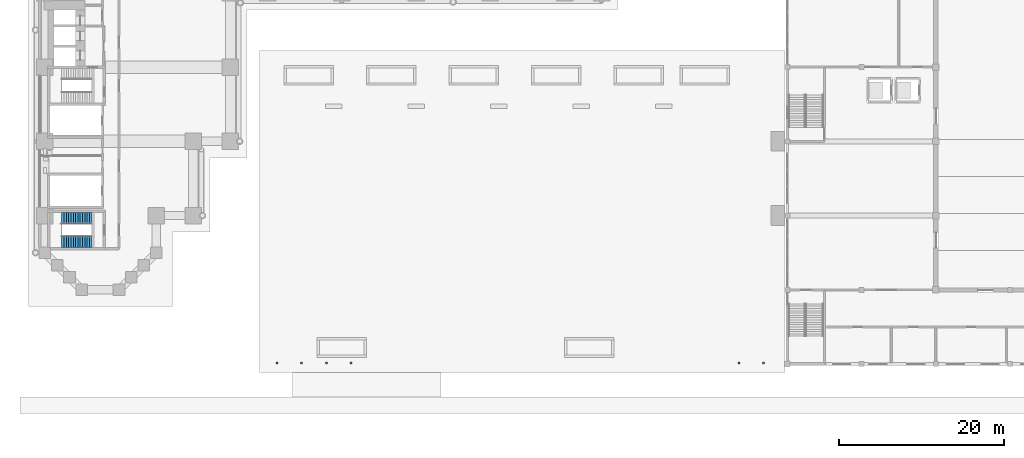
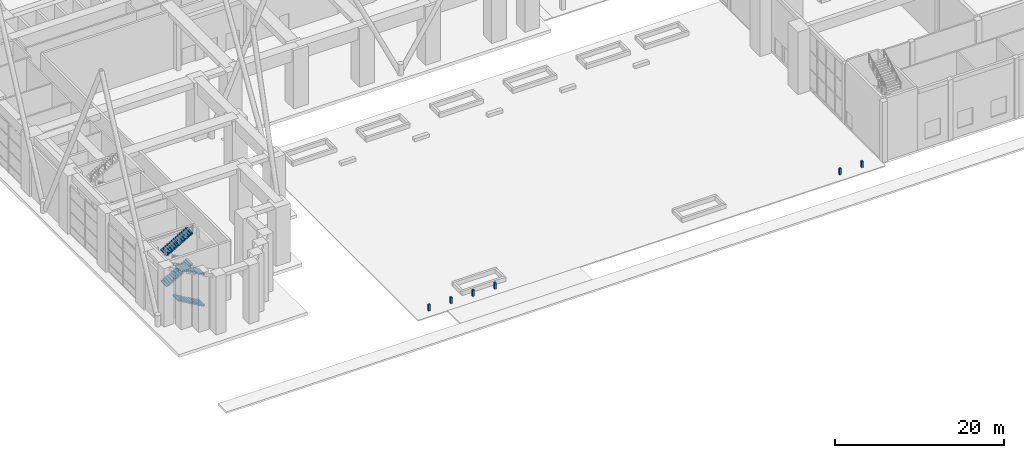
# One storey, part 35 of 44: 6 walls, 4 stair flights, 1 element without a shape of its own.
"""IFC4 building model written with IfcOpenShell, lengths in metres."""

from ifc_helpers import new_model, si_unit, direction, frame, frame_2d, origin, place, context, subcontext, project, spatial, polyline, rectangle, outline, extrude, material, layer, layer_set, type_object, element, aggregate, save


model = new_model("IFC4")

# Units and contexts
model_context = context("Model", 3, precision=1e-05, world=origin(), true_north=direction((0.0, 1.0)))
body_context = subcontext(model_context, "Body", "Model", "MODEL_VIEW")
ifc_project = project(units=[si_unit("LENGTHUNIT", "METRE"), si_unit("AREAUNIT", "SQUARE_METRE"), si_unit("VOLUMEUNIT", "CUBIC_METRE"), si_unit("PLANEANGLEUNIT", "RADIAN"), si_unit("MASSUNIT", "GRAM", prefix="KILO")], contexts=[model_context])

# Site, building, storey
site_placement = place(None, origin())
site = spatial("IfcSite", under=ifc_project, at=site_placement, CompositionType="ELEMENT")
building_placement = place(site_placement, origin())
building = spatial("IfcBuilding", under=site, at=building_placement, Name="Firuza Court", CompositionType="ELEMENT")
storey_placement = place(building_placement, origin())
storey = spatial("IfcBuildingStorey", under=building, at=storey_placement, Name="L00", CompositionType="ELEMENT", Elevation=0.0)

# Walls
ifc_material_1 = material(Name="Stainless steel", Category="steel")
ifc_layer = layer(ifc_material_1, 0.25)
ifc_layer_set = layer_set([ifc_layer], Name="Stainless steel")
wall_type = type_object("IfcWallType", Name="HALL BOLLARD 250", PredefinedType="STANDARD", material=ifc_layer_set)
for number, where, z_axis, x_axis, name in (
    (1, (28.0, -8.875, 0.0), (0.0, 0.0, 1.0), (1.0, 0.0, 0.0), "BOLLARD 1"),
    (2, (31.0, -8.875, 0.0), (0.0, 0.0, 1.0), (1.0, 0.0, 0.0), "BOLLARD 2"),
    (3, (34.0, -8.875, 0.0), (0.0, 0.0, 1.0), (1.0, 0.0, 0.0), "BOLLARD 3"),
    (4, (37.0, -8.875, 0.0), (0.0, 0.0, 1.0), (1.0, 0.0, 0.0), "BOLLARD 4"),
    (5, (84.0, -8.875, 0.0), (0.0, 0.0, 1.0), (1.0, 0.0, 0.0), "BOLLARD 5"),
    (6, (87.0, -8.875, 0.0), (0.0, 0.0, 1.0), (1.0, 0.0, 0.0), "BOLLARD 6"),
):
    element("IfcWall", number, at=place(storey_placement, frame(where, z_axis=z_axis, x_axis=x_axis)), inside=storey, type_object=wall_type, Name=name, ObjectType="BOLLARD", PredefinedType="USERDEFINED", context=body_context, shape_type="SweptSolid", body=[
        extrude(rectangle(XDim=0.25, YDim=0.25, at=frame_2d((0.125, 0.0))), origin(), (0.0, 0.0, 1.0), 0.89990234375),
    ])

# Stair, stair flights
ifc_material_2 = material(Name="Concrete C40/50 precast", Category="concrete")
stair_type = type_object("IfcStairType", Name="Stair 1350 x 9000 4 flights", PredefinedType="QUARTER_TURN_STAIR", material=ifc_material_2)
stair_placement = place(storey_placement, origin())
stair = element("IfcStair", 7, at=stair_placement, inside=storey, type_object=stair_type, Name="Stair 5 L00", PredefinedType="QUARTER_TURN_STAIR")
ifc_material_3 = material(Name="Concrete C40/50 precast", Category="concrete")
stair_flight_type = type_object("IfcStairFlightType", Name="Flight 1350 riser 160.7", PredefinedType="STRAIGHT", material=ifc_material_3)
stair_flight_1_placement = place(storey_placement, frame((5.699951171875, 5.824951171875, 0.0), z_axis=(0.0, 0.0, 1.0), x_axis=(-1.0, 0.0, 0.0)))
stair_flight_1 = element("IfcStairFlight", 8, at=stair_flight_1_placement, type_object=stair_flight_type, Name="S5 flight 1", NumberOfRisers=14, NumberOfTreads=13, PredefinedType="STRAIGHT", RiserHeight=0.160714286, TreadLength=0.28, context=body_context, shape_type="SweptSolid", body=[
    extrude(outline(polyline([(0.0, 0.0), (0.0, 0.16064453125), (0.280029296875, 0.16064453125), (0.280029296875, 0.321533203125), (0.56005859375, 0.321533203125), (0.56005859375, 0.482177734375), (0.840087890625, 0.482177734375), (0.840087890625, 0.642822265625), (1.1201171875, 0.642822265625), (1.1201171875, 0.803466796875), (1.39990234375, 0.803466796875), (1.39990234375, 0.96435546875), (1.679931640625, 0.96435546875), (1.679931640625, 1.125), (1.9599609375, 1.125), (1.9599609375, 1.28564453125), (2.239990234375, 1.28564453125), (2.239990234375, 1.446533203125), (2.52001953125, 1.446533203125), (2.52001953125, 1.607177734375), (2.800048828125, 1.607177734375), (2.800048828125, 1.767822265625), (3.080078125, 1.767822265625), (3.080078125, 1.928466796875), (3.360107421875, 1.928466796875), (3.360107421875, 2.08935546875), (3.639892578125, 2.08935546875), (3.639892578125, 2.25), (3.639892578125, 1.91650390625), (0.301025390625, 0.0), (0.0, 0.0)])), frame((0.0, 0.675048828125, 0.0), z_axis=(0.0, -1.0, 0.0), x_axis=(1.0, 0.0, 0.0)), (0.0, 0.0, 1.0), 1.35009765625),
])
stair_flight_2_placement = place(storey_placement, frame((2.06005859375, 8.675048828125, 2.25), z_axis=(0.0, 0.0, 1.0), x_axis=(1.0, 0.0, 0.0)))
stair_flight_2 = element("IfcStairFlight", 9, at=stair_flight_2_placement, type_object=stair_flight_type, Name="S5 flight 2", NumberOfRisers=14, NumberOfTreads=13, PredefinedType="STRAIGHT", RiserHeight=0.160714286, TreadLength=0.28, context=body_context, shape_type="SweptSolid", body=[
    extrude(outline(polyline([(0.0, 0.0), (0.0, 0.16064453125), (0.280029296875, 0.16064453125), (0.280029296875, 0.321533203125), (0.56005859375, 0.321533203125), (0.56005859375, 0.482177734375), (0.840087890625, 0.482177734375), (0.840087890625, 0.642822265625), (1.1201171875, 0.642822265625), (1.1201171875, 0.803466796875), (1.39990234375, 0.803466796875), (1.39990234375, 0.96435546875), (1.679931640625, 0.96435546875), (1.679931640625, 1.125), (1.9599609375, 1.125), (1.9599609375, 1.28564453125), (2.239990234375, 1.28564453125), (2.239990234375, 1.446533203125), (2.52001953125, 1.446533203125), (2.52001953125, 1.607177734375), (2.800048828125, 1.607177734375), (2.800048828125, 1.767822265625), (3.080078125, 1.767822265625), (3.080078125, 1.928466796875), (3.360107421875, 1.928466796875), (3.360107421875, 2.08935546875), (3.639892578125, 2.08935546875), (3.639892578125, 2.25), (3.639892578125, 1.91650390625), (0.301025390625, 0.0), (0.0, 0.0)])), frame((0.0, 0.675048828125, 0.0), z_axis=(0.0, -1.0, 0.0), x_axis=(1.0, 0.0, 0.0)), (0.0, 0.0, 1.0), 1.35009765625),
])
stair_flight_3_placement = place(storey_placement, frame((5.699951171875, 5.824951171875, 4.5), z_axis=(0.0, 0.0, 1.0), x_axis=(-1.0, 0.0, 0.0)))
stair_flight_3 = element("IfcStairFlight", 10, at=stair_flight_3_placement, type_object=stair_flight_type, Name="S5 flight 3", NumberOfRisers=14, NumberOfTreads=13, PredefinedType="STRAIGHT", RiserHeight=0.160714286, TreadLength=0.28, context=body_context, shape_type="SweptSolid", body=[
    extrude(outline(polyline([(0.0, 0.0), (0.0, 0.16064453125), (0.280029296875, 0.16064453125), (0.280029296875, 0.321533203125), (0.56005859375, 0.321533203125), (0.56005859375, 0.482177734375), (0.840087890625, 0.482177734375), (0.840087890625, 0.642822265625), (1.1201171875, 0.642822265625), (1.1201171875, 0.803466796875), (1.39990234375, 0.803466796875), (1.39990234375, 0.96435546875), (1.679931640625, 0.96435546875), (1.679931640625, 1.125), (1.9599609375, 1.125), (1.9599609375, 1.28564453125), (2.239990234375, 1.28564453125), (2.239990234375, 1.446533203125), (2.52001953125, 1.446533203125), (2.52001953125, 1.607177734375), (2.800048828125, 1.607177734375), (2.800048828125, 1.767822265625), (3.080078125, 1.767822265625), (3.080078125, 1.928466796875), (3.360107421875, 1.928466796875), (3.360107421875, 2.08935546875), (3.639892578125, 2.08935546875), (3.639892578125, 2.25), (3.639892578125, 1.91650390625), (0.301025390625, 0.0), (0.0, 0.0)])), frame((0.0, 0.675048828125, 0.0), z_axis=(0.0, -1.0, 0.0), x_axis=(1.0, 0.0, 0.0)), (0.0, 0.0, 1.0), 1.35009765625),
])
stair_flight_4_placement = place(storey_placement, frame((2.06005859375, 8.675048828125, 6.75), z_axis=(0.0, 0.0, 1.0), x_axis=(1.0, 0.0, 0.0)))
stair_flight_4 = element("IfcStairFlight", 11, at=stair_flight_4_placement, type_object=stair_flight_type, Name="S5 flight 4", NumberOfRisers=14, NumberOfTreads=13, PredefinedType="STRAIGHT", RiserHeight=0.160714286, TreadLength=0.28, context=body_context, shape_type="SweptSolid", body=[
    extrude(outline(polyline([(0.0, 0.0), (0.0, 0.16064453125), (0.280029296875, 0.16064453125), (0.280029296875, 0.321533203125), (0.56005859375, 0.321533203125), (0.56005859375, 0.482177734375), (0.840087890625, 0.482177734375), (0.840087890625, 0.642822265625), (1.1201171875, 0.642822265625), (1.1201171875, 0.803466796875), (1.39990234375, 0.803466796875), (1.39990234375, 0.96435546875), (1.679931640625, 0.96435546875), (1.679931640625, 1.125), (1.9599609375, 1.125), (1.9599609375, 1.28564453125), (2.239990234375, 1.28564453125), (2.239990234375, 1.446533203125), (2.52001953125, 1.446533203125), (2.52001953125, 1.607177734375), (2.800048828125, 1.607177734375), (2.800048828125, 1.767822265625), (3.080078125, 1.767822265625), (3.080078125, 1.928466796875), (3.360107421875, 1.928466796875), (3.360107421875, 2.08935546875), (3.639892578125, 2.08935546875), (3.639892578125, 2.25), (3.639892578125, 1.91650390625), (0.301025390625, 0.0), (0.0, 0.0)])), frame((0.0, 0.675048828125, 0.0), z_axis=(0.0, -1.0, 0.0), x_axis=(1.0, 0.0, 0.0)), (0.0, 0.0, 1.0), 1.35009765625),
])
aggregate(stair, [stair_flight_1, stair_flight_2, stair_flight_3, stair_flight_4])

save(model, "model.ifc")
